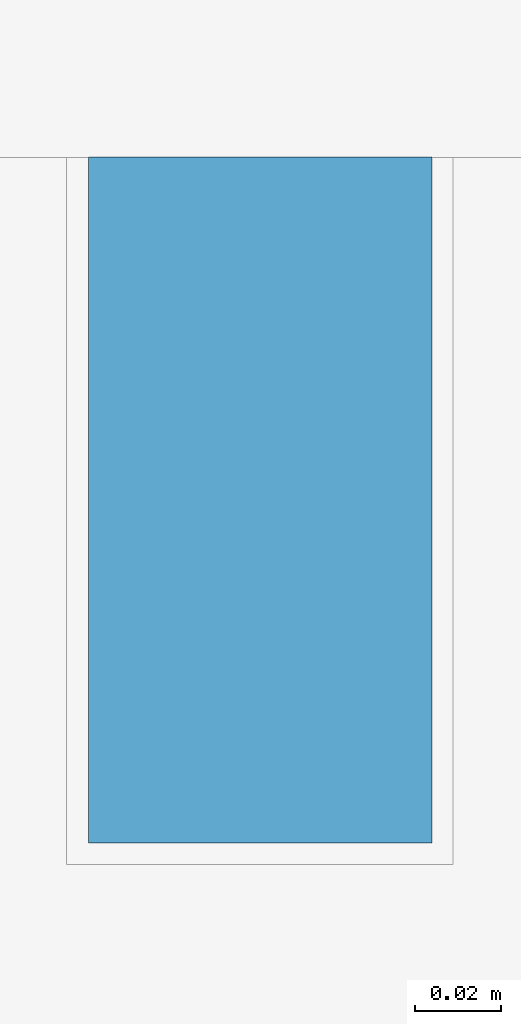
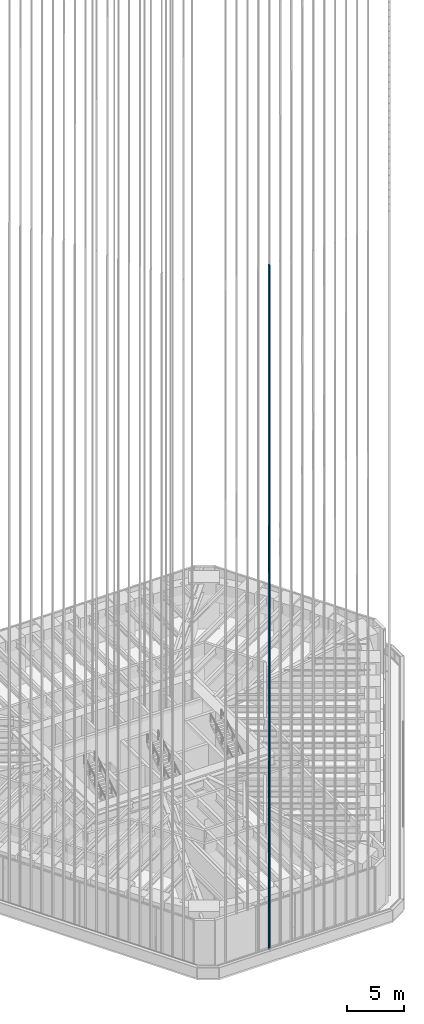
# One storey, part 31 of 228: 1 member, 1 element without a shape of its own.
"""IFC4 building model written with IfcOpenShell, lengths in metres."""

from ifc_helpers import new_model, si_unit, direction, frame, origin, origin_2d, place, context, subcontext, project, spatial, rectangle, extrude, material, material_profile, profile_set, type_object, element, aggregate, save


model = new_model("IFC4")

# Units and contexts
model_context = context("Model", 3, precision=1e-05, world=origin(), true_north=direction((0.0, 1.0)))
body_context = subcontext(model_context, "Body", "Model", "MODEL_VIEW")
ifc_project = project(units=[si_unit("LENGTHUNIT", "METRE"), si_unit("AREAUNIT", "SQUARE_METRE"), si_unit("VOLUMEUNIT", "CUBIC_METRE"), si_unit("PLANEANGLEUNIT", "RADIAN"), si_unit("MASSUNIT", "GRAM", prefix="KILO")], contexts=[model_context])

# Site, building, storey
site_placement = place(None, origin())
site = spatial("IfcSite", under=ifc_project, at=site_placement, CompositionType="ELEMENT")
building_placement = place(site_placement, origin())
building = spatial("IfcBuilding", under=site, at=building_placement, Name="Sandreach Pilgrim Tower", CompositionType="ELEMENT")
storey_placement = place(building_placement, frame((0.0, 0.0, 178.199951171875)))
storey = spatial("IfcBuildingStorey", under=building, at=storey_placement, Name="L44", CompositionType="ELEMENT", Elevation=178.199951171875)

# Curtain wall, member
ifc_material_1 = material(Name="Aluminium framed curtain wall", Category="aluminium")
curtain_wall_type = type_object("IfcCurtainWallType", Name="Upper hotel tower curtain wall", PredefinedType="NOTDEFINED", material=ifc_material_1)
curtain_wall_placement = place(storey_placement, origin())
curtain_wall = element("IfcCurtainWall", 1, at=curtain_wall_placement, inside=storey, type_object=curtain_wall_type, Name="CW-3 L44 SA", PredefinedType="NOTDEFINED")
ifc_material_2 = material(Name="Extruded terracotta on aluminium core", Category="masonry")
ifc_material_profile = material_profile(ifc_material_2, rectangle(XDim=0.080078125, YDim=0.159912109375, at=origin_2d()), Name="TBS 80X160")
ifc_profile_set = profile_set([ifc_material_profile], Name="Extruded terracotta on aluminium core")
member_type = type_object("IfcMemberType", Name="Terracotta baguette south", PredefinedType="USERDEFINED", material=ifc_profile_set)
member_placement = place(storey_placement, frame((-2.772216796875, -26.905029296875, 0.0), z_axis=(0.0, 0.0, 1.0), x_axis=(-1.0, 0.0, 0.0)))
member = element("IfcMember", 2, at=member_placement, type_object=member_type, Name="Baguette Z3 S10", ObjectType="BAGUETTE", PredefinedType="USERDEFINED", context=body_context, shape_type="SweptSolid", body=[
    extrude(rectangle(XDim=0.080078125, YDim=0.159912109375, at=origin_2d()), origin(), (0.0, 0.0, 1.0), 73.239990234375),
])
aggregate(curtain_wall, [member])

save(model, "model.ifc")
